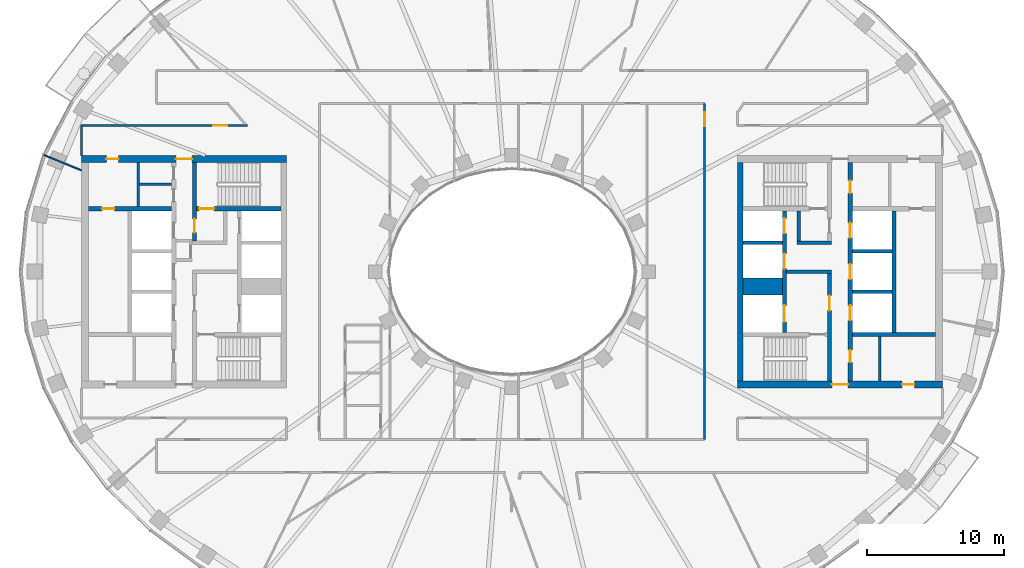
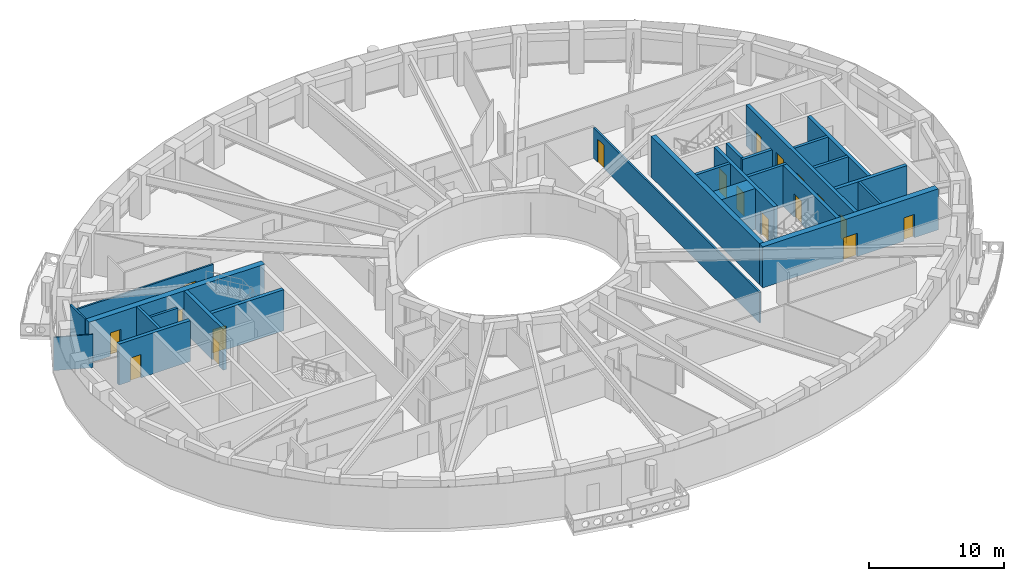
# One storey, part 5 of 16: 25 walls, 18 doors, 18 openings.
"""IFC4 building model written with IfcOpenShell, lengths in metres."""

from ifc_helpers import new_model, si_unit, direction, frame, frame_2d, origin, place, context, subcontext, project, spatial, rectangle, extrude, material, layer, layer_set, type_object, element, fill, save


model = new_model("IFC4")

# Units and contexts
model_context = context("Model", 3, precision=1e-05, world=origin(), true_north=direction((0.0, 1.0)))
body_context = subcontext(model_context, "Body", "Model", "MODEL_VIEW")
ifc_project = project(units=[si_unit("LENGTHUNIT", "METRE"), si_unit("AREAUNIT", "SQUARE_METRE"), si_unit("VOLUMEUNIT", "CUBIC_METRE"), si_unit("PLANEANGLEUNIT", "RADIAN"), si_unit("MASSUNIT", "GRAM", prefix="KILO")], contexts=[model_context])

# Site, building, storey
site_placement = place(None, origin())
site = spatial("IfcSite", under=ifc_project, at=site_placement, CompositionType="ELEMENT")
building_placement = place(site_placement, origin())
building = spatial("IfcBuilding", under=site, at=building_placement, Name="Noorbagh Ring Tower", CompositionType="ELEMENT")
storey_placement = place(building_placement, frame((0.0, 0.0, 249.5)))
storey = spatial("IfcBuildingStorey", under=building, at=storey_placement, Name="L52", CompositionType="ELEMENT", Elevation=249.5)

# Walls
ifc_material_1 = material(Name="Gypsum board on steel studs", Category="steel")
ifc_layer_1 = layer(ifc_material_1, 0.199951171875)
ifc_layer_set_1 = layer_set([ifc_layer_1], Name="Gypsum board on steel studs")
wall_type_1 = type_object("IfcWallType", Name="CORE-PARTITION-200", PredefinedType="PARTITIONING", material=ifc_layer_set_1)
wall_1_placement = place(storey_placement, frame((-27.35009765625, 4.75, 0.0), z_axis=(0.0, 0.0, 1.0), x_axis=(0.0, 1.0, 0.0)))
element("IfcWall", 1, at=wall_1_placement, inside=storey, type_object=wall_type_1, Name="Core partition W", PredefinedType="PARTITIONING", context=body_context, shape_type="SweptSolid", body=[
    extrude(rectangle(XDim=3.25, YDim=0.199951171875, at=frame_2d((1.625, 0.0))), origin(), (0.0, 0.0, 1.0), 3.699951171875),
])
wall_2_placement = place(storey_placement, frame((-24.89990234375, 6.39990234375, 0.0), z_axis=(0.0, 0.0, 1.0), x_axis=(-1.0, 0.0, 0.0)))
element("IfcWall", 2, at=wall_2_placement, inside=storey, type_object=wall_type_1, Name="Core partition W", PredefinedType="PARTITIONING", context=body_context, shape_type="SweptSolid", body=[
    extrude(rectangle(XDim=2.35009765625, YDim=0.199951171875, at=frame_2d((1.175048828125, 0.0))), origin(), (0.0, 0.0, 1.0), 3.699951171875),
])
wall_3_placement = place(storey_placement, frame((26.89990234375, -8.0, 0.0), z_axis=(0.0, 0.0, 1.0), x_axis=(0.0, 1.0, 0.0)))
element("IfcWall", 3, at=wall_3_placement, inside=storey, type_object=wall_type_1, Name="Core partition E", PredefinedType="PARTITIONING", context=body_context, shape_type="SweptSolid", body=[
    extrude(rectangle(XDim=3.25, YDim=0.199951171875, at=frame_2d((1.625, 0.0))), origin(), (0.0, 0.0, 1.0), 3.699951171875),
])
ifc_material_2 = material(Name="Concrete C60/75", Category="concrete")
ifc_layer_2 = layer(ifc_material_2, 1.25)
ifc_layer_set_2 = layer_set([ifc_layer_2], Name="Concrete C60/75")
wall_type_2 = type_object("IfcWallType", Name="CORE-WALL-1250-C60-75-EI120", PredefinedType="SHEAR", material=ifc_layer_set_2)
wall_4_placement = place(storey_placement, frame((16.89990234375, -1.074951171875, 0.0), z_axis=(0.0, 0.0, 1.0), x_axis=(1.0, 0.0, 0.0)))
element("IfcWall", 4, at=wall_4_placement, inside=storey, type_object=wall_type_2, Name="Core wall E", PredefinedType="SHEAR", context=body_context, shape_type="SweptSolid", body=[
    extrude(rectangle(XDim=2.900146484375, YDim=1.25, at=frame_2d((1.4501953125, 0.0))), origin(), (0.0, 0.0, 1.0), 3.699951171875),
])
ifc_material_3 = material(Name="Concrete C60/75", Category="concrete")
ifc_layer_3 = layer(ifc_material_3, 0.25)
ifc_layer_set_3 = layer_set([ifc_layer_3], Name="Concrete C60/75")
wall_type_3 = type_object("IfcWallType", Name="CORE-WALL-250-C60-75-EI120", PredefinedType="SHEAR", material=ifc_layer_set_3)
for number, where, z_axis, x_axis, name in (
    (5, (16.89990234375, 2.125, 0.0), (0.0, 0.0, 1.0), (1.0, 0.0, 0.0), "Core wall E"),
    (6, (24.89990234375, -1.47509765625, 0.0), (0.0, 0.0, 1.0), (1.0, 0.0, 0.0), "Core wall E"),
    (7, (24.89990234375, 1.47509765625, 0.0), (0.0, 0.0, 1.0), (1.0, 0.0, 0.0), "Core wall E"),
):
    element("IfcWall", number, at=place(storey_placement, frame(where, z_axis=z_axis, x_axis=x_axis)), inside=storey, type_object=wall_type_3, Name=name, PredefinedType="SHEAR", context=body_context, shape_type="SweptSolid", body=[
        extrude(rectangle(XDim=2.900146484375, YDim=0.25, at=frame_2d((1.4501953125, 0.0))), origin(), (0.0, 0.0, 1.0), 3.699951171875),
    ])
ifc_material_4 = material(Name="Concrete C60/75", Category="concrete")
ifc_layer_4 = layer(ifc_material_4, 0.25)
ifc_layer_set_4 = layer_set([ifc_layer_4], Name="Concrete C60/75")
wall_type_4 = type_object("IfcWallType", Name="CORE-WALL-250-C60-75-EI240", PredefinedType="SHEAR", material=ifc_layer_set_4)
wall_5_placement = place(storey_placement, frame((20.10009765625, 0.0, 0.0), z_axis=(0.0, 0.0, 1.0), x_axis=(1.0, 0.0, 0.0)))
element("IfcWall", 8, at=wall_5_placement, inside=storey, type_object=wall_type_4, Name="Core wall E", PredefinedType="SHEAR", context=body_context, shape_type="SweptSolid", body=[
    extrude(rectangle(XDim=3.27978515625, YDim=0.25, at=frame_2d((1.639892578125, 0.0))), origin(), (0.0, 0.0, 1.0), 3.699951171875),
])
wall_6_placement = place(storey_placement, frame((20.85009765625, 2.125, 0.0), z_axis=(0.0, 0.0, 1.0), x_axis=(1.0, 0.0, 0.0)))
element("IfcWall", 9, at=wall_6_placement, inside=storey, type_object=wall_type_4, Name="Core wall E", PredefinedType="SHEAR", context=body_context, shape_type="SweptSolid", body=[
    extrude(rectangle(XDim=2.52978515625, YDim=0.25, at=frame_2d((1.264892578125, 0.0))), origin(), (0.0, 0.0, 1.0), 3.699951171875),
])
wall_7_placement = place(storey_placement, frame((20.97509765625, 2.25, 0.0), z_axis=(0.0, 0.0, 1.0), x_axis=(0.0, 1.0, 0.0)))
element("IfcWall", 10, at=wall_7_placement, inside=storey, type_object=wall_type_4, Name="Core wall E", PredefinedType="SHEAR", context=body_context, shape_type="SweptSolid", body=[
    extrude(rectangle(XDim=2.199951171875, YDim=0.25, at=frame_2d((1.10009765625, 0.0))), origin(), (0.0, 0.0, 1.0), 3.699951171875),
])
ifc_material_5 = material(Name="Concrete C60/75", Category="concrete")
ifc_layer_5 = layer(ifc_material_5, 0.300048828125)
ifc_layer_set_5 = layer_set([ifc_layer_5], Name="Concrete C60/75")
wall_type_5 = type_object("IfcWallType", Name="CORE-WALL-300-C60-75-EI120", PredefinedType="SHEAR", material=ifc_layer_set_5)
wall_8_placement = place(storey_placement, frame((27.949951171875, -4.449951171875, 0.0), z_axis=(0.0, 0.0, 1.0), x_axis=(0.0, 1.0, 0.0)))
element("IfcWall", 11, at=wall_8_placement, inside=storey, type_object=wall_type_5, Name="Core wall E", PredefinedType="SHEAR", context=body_context, shape_type="SweptSolid", body=[
    extrude(rectangle(XDim=8.89990234375, YDim=0.300048828125, at=frame_2d((4.449951171875, 0.0))), origin(), (0.0, 0.0, 1.0), 3.699951171875),
])

# Wall, openings, doors
wall_9_placement = place(storey_placement, frame((19.949951171875, -4.449951171875, 0.0), z_axis=(0.0, 0.0, 1.0), x_axis=(0.0, 1.0, 0.0)))
wall_9 = element("IfcWall", 12, at=wall_9_placement, inside=storey, type_object=wall_type_5, Name="Core wall E", PredefinedType="SHEAR", context=body_context, shape_type="SweptSolid", body=[
    extrude(rectangle(XDim=8.89990234375, YDim=0.300048828125, at=frame_2d((4.449951171875, 0.0))), origin(), (0.0, 0.0, 1.0), 3.699951171875),
])
opening_1_placement = place(wall_9_placement, frame((0.77490234375, 0.0, 0.0)))
opening_1 = element("IfcOpeningElement", 13, at=opening_1_placement, cuts=wall_9, Name="Opening L52-CE01", PredefinedType="OPENING", context=body_context, shape_type="SweptSolid", body=[
    extrude(rectangle(XDim=1.199951171875, YDim=2.10009765625, at=frame_2d((0.60009765625, 1.050048828125))), frame((0.0, 0.16015625, 0.0), z_axis=(0.0, -1.0, 0.0), x_axis=(1.0, 0.0, 0.0)), (0.0, 0.0, 1.0), 0.320068359375),
])
opening_2_placement = place(wall_9_placement, frame((4.675048828125, 0.0, 0.0)))
opening_2 = element("IfcOpeningElement", 14, at=opening_2_placement, cuts=wall_9, Name="Opening L52-CE02", PredefinedType="OPENING", context=body_context, shape_type="SweptSolid", body=[
    extrude(rectangle(XDim=1.10009765625, YDim=2.10009765625, at=frame_2d((0.550048828125, 1.050048828125))), frame((0.0, 0.16015625, 0.0), z_axis=(0.0, -1.0, 0.0), x_axis=(1.0, 0.0, 0.0)), (0.0, 0.0, 1.0), 0.320068359375),
])
opening_3_placement = place(wall_9_placement, frame((7.25, 0.0, 0.0)))
opening_3 = element("IfcOpeningElement", 15, at=opening_3_placement, cuts=wall_9, Name="Opening L52-CE03", PredefinedType="OPENING", context=body_context, shape_type="SweptSolid", body=[
    extrude(rectangle(XDim=1.10009765625, YDim=2.10009765625, at=frame_2d((0.550048828125, 1.050048828125))), frame((0.0, 0.16015625, 0.0), z_axis=(0.0, -1.0, 0.0), x_axis=(1.0, 0.0, 0.0)), (0.0, 0.0, 1.0), 0.320068359375),
])
ifc_material_6 = material(Name="Steel door leaf", Category="steel")
door_type_1 = type_object("IfcDoorType", Name="CORE-DOOR-LD", OperationType="DOUBLE_DOOR_SLIDING", PredefinedType="DOOR", material=ifc_material_6)
door_1_placement = place(opening_2_placement, origin())
door_1 = element("IfcDoor", 16, at=door_1_placement, inside=storey, type_object=door_type_1, Name="Landing door HR7 L52-CE02", OperationType="DOUBLE_DOOR_SLIDING", OverallHeight=2.10009765625, OverallWidth=1.10009765625, PredefinedType="DOOR", context=body_context, shape_type="SweptSolid", body=[
    extrude(rectangle(XDim=1.10009765625, YDim=2.10009765625, at=frame_2d((0.550048828125, 1.050048828125))), frame((0.0, 0.02490234375, 0.0), z_axis=(0.0, -1.0, 0.0), x_axis=(1.0, 0.0, 0.0)), (0.0, 0.0, 1.0), 0.050048828125),
])
fill(opening_2, door_1)
door_2_placement = place(opening_3_placement, origin())
door_2 = element("IfcDoor", 17, at=door_2_placement, inside=storey, type_object=door_type_1, Name="Landing door HR8 L52-CE03", OperationType="DOUBLE_DOOR_SLIDING", OverallHeight=2.10009765625, OverallWidth=1.10009765625, PredefinedType="DOOR", context=body_context, shape_type="SweptSolid", body=[
    extrude(rectangle(XDim=1.10009765625, YDim=2.10009765625, at=frame_2d((0.550048828125, 1.050048828125))), frame((0.0, 0.02490234375, 0.0), z_axis=(0.0, -1.0, 0.0), x_axis=(1.0, 0.0, 0.0)), (0.0, 0.0, 1.0), 0.050048828125),
])
fill(opening_3, door_2)
ifc_material_7 = material(Name="Steel door leaf", Category="steel")
door_type_2 = type_object("IfcDoorType", Name="CORE-DOOR-LDW", OperationType="DOUBLE_DOOR_SLIDING", PredefinedType="DOOR", material=ifc_material_7)
door_3_placement = place(opening_1_placement, origin())
door_3 = element("IfcDoor", 18, at=door_3_placement, inside=storey, type_object=door_type_2, Name="Landing door FF2 L52-CE01", OperationType="DOUBLE_DOOR_SLIDING", OverallHeight=2.10009765625, OverallWidth=1.199951171875, PredefinedType="DOOR", context=body_context, shape_type="SweptSolid", body=[
    extrude(rectangle(XDim=1.199951171875, YDim=2.10009765625, at=frame_2d((0.60009765625, 1.050048828125))), frame((0.0, 0.02490234375, 0.0), z_axis=(0.0, -1.0, 0.0), x_axis=(1.0, 0.0, 0.0)), (0.0, 0.0, 1.0), 0.050048828125),
])
fill(opening_1, door_3)

wall_10_placement = place(storey_placement, frame((24.75, -8.0, 0.0), z_axis=(0.0, 0.0, 1.0), x_axis=(0.0, 1.0, 0.0)))
wall_10 = element("IfcWall", 19, at=wall_10_placement, inside=storey, type_object=wall_type_5, Name="Core wall E", PredefinedType="SHEAR", context=body_context, shape_type="SweptSolid", body=[
    extrude(rectangle(XDim=16.0, YDim=0.300048828125, at=frame_2d((8.0, 0.0))), origin(), (0.0, 0.0, 1.0), 3.699951171875),
])
opening_4_placement = place(wall_10_placement, frame((4.425048828125, 0.0, 0.0)))
opening_4 = element("IfcOpeningElement", 20, at=opening_4_placement, cuts=wall_10, Name="Opening L52-CE04", PredefinedType="OPENING", context=body_context, shape_type="SweptSolid", body=[
    extrude(rectangle(XDim=1.10009765625, YDim=2.10009765625, at=frame_2d((0.550048828125, 1.050048828125))), frame((0.0, 0.16015625, 0.0), z_axis=(0.0, -1.0, 0.0), x_axis=(1.0, 0.0, 0.0)), (0.0, 0.0, 1.0), 0.320068359375),
])
opening_5_placement = place(wall_10_placement, frame((7.449951171875, 0.0, 0.0)))
opening_5 = element("IfcOpeningElement", 21, at=opening_5_placement, cuts=wall_10, Name="Opening L52-CE05", PredefinedType="OPENING", context=body_context, shape_type="SweptSolid", body=[
    extrude(rectangle(XDim=1.10009765625, YDim=2.10009765625, at=frame_2d((0.550048828125, 1.050048828125))), frame((0.0, 0.16015625, 0.0), z_axis=(0.0, -1.0, 0.0), x_axis=(1.0, 0.0, 0.0)), (0.0, 0.0, 1.0), 0.320068359375),
])
opening_6_placement = place(wall_10_placement, frame((10.47509765625, 0.0, 0.0)))
opening_6 = element("IfcOpeningElement", 22, at=opening_6_placement, cuts=wall_10, Name="Opening L52-CE06", PredefinedType="OPENING", context=body_context, shape_type="SweptSolid", body=[
    extrude(rectangle(XDim=1.10009765625, YDim=2.10009765625, at=frame_2d((0.550048828125, 1.050048828125))), frame((0.0, 0.16015625, 0.0), z_axis=(0.0, -1.0, 0.0), x_axis=(1.0, 0.0, 0.0)), (0.0, 0.0, 1.0), 0.320068359375),
])
opening_7_placement = place(wall_10_placement, frame((13.75, 0.0, 0.0)))
opening_7 = element("IfcOpeningElement", 23, at=opening_7_placement, cuts=wall_10, Name="Opening L52-CE13", PredefinedType="OPENING", context=body_context, shape_type="SweptSolid", body=[
    extrude(rectangle(XDim=0.89990234375, YDim=2.10009765625, at=frame_2d((0.449951171875, 1.050048828125))), frame((0.0, 0.16015625, 0.0), z_axis=(0.0, -1.0, 0.0), x_axis=(1.0, 0.0, 0.0)), (0.0, 0.0, 1.0), 0.320068359375),
])
opening_8_placement = place(wall_10_placement, frame((1.35009765625, 0.0, 0.0)))
opening_8 = element("IfcOpeningElement", 24, at=opening_8_placement, cuts=wall_10, Name="Opening L52-CE15", PredefinedType="OPENING", context=body_context, shape_type="SweptSolid", body=[
    extrude(rectangle(XDim=0.89990234375, YDim=2.10009765625, at=frame_2d((0.449951171875, 1.050048828125))), frame((0.0, 0.16015625, 0.0), z_axis=(0.0, -1.0, 0.0), x_axis=(1.0, 0.0, 0.0)), (0.0, 0.0, 1.0), 0.320068359375),
])
ifc_material_8 = material(Name="Steel door leaf", Category="steel")
door_type_3 = type_object("IfcDoorType", Name="CORE-DOOR-DROOM", OperationType="SINGLE_SWING_LEFT", PredefinedType="DOOR", material=ifc_material_8)
door_4_placement = place(opening_7_placement, origin())
door_4 = element("IfcDoor", 25, at=door_4_placement, inside=storey, type_object=door_type_3, Name="Core room door L52-CE13", OperationType="SINGLE_SWING_LEFT", OverallHeight=2.10009765625, OverallWidth=0.89990234375, PredefinedType="DOOR", context=body_context, shape_type="SweptSolid", body=[
    extrude(rectangle(XDim=0.89990234375, YDim=2.10009765625, at=frame_2d((0.449951171875, 1.050048828125))), frame((0.0, 0.02490234375, 0.0), z_axis=(0.0, -1.0, 0.0), x_axis=(1.0, 0.0, 0.0)), (0.0, 0.0, 1.0), 0.050048828125),
])
fill(opening_7, door_4)
door_5_placement = place(opening_8_placement, origin())
door_5 = element("IfcDoor", 26, at=door_5_placement, inside=storey, type_object=door_type_3, Name="Core room door L52-CE15", OperationType="SINGLE_SWING_RIGHT", OverallHeight=2.10009765625, OverallWidth=0.89990234375, PredefinedType="DOOR", context=body_context, shape_type="SweptSolid", body=[
    extrude(rectangle(XDim=0.89990234375, YDim=2.10009765625, at=frame_2d((0.449951171875, 1.050048828125))), frame((0.0, 0.02490234375, 0.0), z_axis=(0.0, -1.0, 0.0), x_axis=(1.0, 0.0, 0.0)), (0.0, 0.0, 1.0), 0.050048828125),
])
fill(opening_8, door_5)
door_6_placement = place(opening_4_placement, origin())
door_6 = element("IfcDoor", 27, at=door_6_placement, inside=storey, type_object=door_type_1, Name="Landing door HR9 L52-CE04", OperationType="DOUBLE_DOOR_SLIDING", OverallHeight=2.10009765625, OverallWidth=1.10009765625, PredefinedType="DOOR", context=body_context, shape_type="SweptSolid", body=[
    extrude(rectangle(XDim=1.10009765625, YDim=2.10009765625, at=frame_2d((0.550048828125, 1.050048828125))), frame((0.0, 0.02490234375, 0.0), z_axis=(0.0, -1.0, 0.0), x_axis=(1.0, 0.0, 0.0)), (0.0, 0.0, 1.0), 0.050048828125),
])
fill(opening_4, door_6)
door_7_placement = place(opening_5_placement, origin())
door_7 = element("IfcDoor", 28, at=door_7_placement, inside=storey, type_object=door_type_1, Name="Landing door HR10 L52-CE05", OperationType="DOUBLE_DOOR_SLIDING", OverallHeight=2.10009765625, OverallWidth=1.10009765625, PredefinedType="DOOR", context=body_context, shape_type="SweptSolid", body=[
    extrude(rectangle(XDim=1.10009765625, YDim=2.10009765625, at=frame_2d((0.550048828125, 1.050048828125))), frame((0.0, 0.02490234375, 0.0), z_axis=(0.0, -1.0, 0.0), x_axis=(1.0, 0.0, 0.0)), (0.0, 0.0, 1.0), 0.050048828125),
])
fill(opening_5, door_7)
door_8_placement = place(opening_6_placement, origin())
door_8 = element("IfcDoor", 29, at=door_8_placement, inside=storey, type_object=door_type_1, Name="Landing door HR11 L52-CE06", OperationType="DOUBLE_DOOR_SLIDING", OverallHeight=2.10009765625, OverallWidth=1.10009765625, PredefinedType="DOOR", context=body_context, shape_type="SweptSolid", body=[
    extrude(rectangle(XDim=1.10009765625, YDim=2.10009765625, at=frame_2d((0.550048828125, 1.050048828125))), frame((0.0, 0.02490234375, 0.0), z_axis=(0.0, -1.0, 0.0), x_axis=(1.0, 0.0, 0.0)), (0.0, 0.0, 1.0), 0.050048828125),
])
fill(opening_6, door_8)

# Wall, opening, door
ifc_material_9 = material(Name="Concrete C60/75", Category="concrete")
ifc_layer_6 = layer(ifc_material_9, 0.300048828125)
ifc_layer_set_6 = layer_set([ifc_layer_6], Name="Concrete C60/75")
wall_type_6 = type_object("IfcWallType", Name="CORE-WALL-300-C60-75-EI240", PredefinedType="SHEAR", material=ifc_layer_set_6)
wall_11_placement = place(storey_placement, frame((-24.89990234375, 4.60009765625, 0.0), z_axis=(0.0, 0.0, 1.0), x_axis=(-1.0, 0.0, 0.0)))
wall_11 = element("IfcWall", 30, at=wall_11_placement, inside=storey, type_object=wall_type_6, Name="Core wall W", PredefinedType="SHEAR", context=body_context, shape_type="SweptSolid", body=[
    extrude(rectangle(XDim=6.10009765625, YDim=0.300048828125, at=frame_2d((3.050048828125, 0.0))), origin(), (0.0, 0.0, 1.0), 3.699951171875),
])
opening_9_placement = place(wall_11_placement, frame((4.199951171875, 0.0, 0.0)))
opening_9 = element("IfcOpeningElement", 31, at=opening_9_placement, cuts=wall_11, Name="Opening L52-CW18", PredefinedType="OPENING", context=body_context, shape_type="SweptSolid", body=[
    extrude(rectangle(XDim=0.89990234375, YDim=2.10009765625, at=frame_2d((0.449951171875, 1.050048828125))), frame((0.0, 0.16015625, 0.0), z_axis=(0.0, -1.0, 0.0), x_axis=(1.0, 0.0, 0.0)), (0.0, 0.0, 1.0), 0.320068359375),
])
door_9_placement = place(opening_9_placement, origin())
door_9 = element("IfcDoor", 32, at=door_9_placement, inside=storey, type_object=door_type_3, Name="Core room door L52-CW18", OperationType="SINGLE_SWING_LEFT", OverallHeight=2.10009765625, OverallWidth=0.89990234375, PredefinedType="DOOR", context=body_context, shape_type="SweptSolid", body=[
    extrude(rectangle(XDim=0.89990234375, YDim=2.10009765625, at=frame_2d((0.449951171875, 1.050048828125))), frame((0.0, 0.02490234375, 0.0), z_axis=(0.0, -1.0, 0.0), x_axis=(1.0, 0.0, 0.0)), (0.0, 0.0, 1.0), 0.050048828125),
])
fill(opening_9, door_9)

wall_12_placement = place(storey_placement, frame((-23.22998046875, 2.25, 0.0), z_axis=(0.0, 0.0, 1.0), x_axis=(0.0, 1.0, 0.0)))
wall_12 = element("IfcWall", 33, at=wall_12_placement, inside=storey, type_object=wall_type_6, Name="Core wall W", PredefinedType="SHEAR", context=body_context, shape_type="SweptSolid", body=[
    extrude(rectangle(XDim=5.75, YDim=0.300048828125, at=frame_2d((2.875, 0.0))), origin(), (0.0, 0.0, 1.0), 3.699951171875),
])
opening_10_placement = place(wall_12_placement, frame((0.60009765625, 0.0, 0.0)))
opening_10 = element("IfcOpeningElement", 34, at=opening_10_placement, cuts=wall_12, Name="Opening L52-CW09", PredefinedType="OPENING", context=body_context, shape_type="SweptSolid", body=[
    extrude(rectangle(XDim=1.0, YDim=2.10009765625, at=frame_2d((0.5, 1.050048828125))), frame((0.0, 0.16015625, 0.0), z_axis=(0.0, -1.0, 0.0), x_axis=(1.0, 0.0, 0.0)), (0.0, 0.0, 1.0), 0.320068359375),
])
ifc_material_10 = material(Name="Steel door leaf", Category="steel")
door_type_4 = type_object("IfcDoorType", Name="CORE-DOOR-DVEST", OperationType="SINGLE_SWING_LEFT", PredefinedType="DOOR", material=ifc_material_10)
door_10_placement = place(opening_10_placement, origin())
door_10 = element("IfcDoor", 35, at=door_10_placement, inside=storey, type_object=door_type_4, Name="Stair vestibule door L52-CW09", OperationType="SINGLE_SWING_LEFT", OverallHeight=2.10009765625, OverallWidth=1.0, PredefinedType="DOOR", context=body_context, shape_type="SweptSolid", body=[
    extrude(rectangle(XDim=1.0, YDim=2.10009765625, at=frame_2d((0.5, 1.050048828125))), frame((0.0, 0.02490234375, 0.0), z_axis=(0.0, -1.0, 0.0), x_axis=(1.0, 0.0, 0.0)), (0.0, 0.0, 1.0), 0.050048828125),
])
fill(opening_10, door_10)

wall_13_placement = place(storey_placement, frame((-16.89990234375, 4.60009765625, 0.0), z_axis=(0.0, 0.0, 1.0), x_axis=(-1.0, 0.0, 0.0)))
wall_13 = element("IfcWall", 36, at=wall_13_placement, inside=storey, type_object=wall_type_6, Name="Core wall W", PredefinedType="SHEAR", context=body_context, shape_type="SweptSolid", body=[
    extrude(rectangle(XDim=6.18017578125, YDim=0.300048828125, at=frame_2d((3.090087890625, 0.0))), origin(), (0.0, 0.0, 1.0), 3.699951171875),
])
opening_11_placement = place(wall_13_placement, frame((4.89990234375, 0.0, 0.0)))
opening_11 = element("IfcOpeningElement", 37, at=opening_11_placement, cuts=wall_13, Name="Opening L52-CW06", PredefinedType="OPENING", context=body_context, shape_type="SweptSolid", body=[
    extrude(rectangle(XDim=1.10009765625, YDim=2.10009765625, at=frame_2d((0.550048828125, 1.050048828125))), frame((0.0, 0.16015625, 0.0), z_axis=(0.0, -1.0, 0.0), x_axis=(1.0, 0.0, 0.0)), (0.0, 0.0, 1.0), 0.320068359375),
])
ifc_material_11 = material(Name="Steel door leaf", Category="steel")
door_type_5 = type_object("IfcDoorType", Name="CORE-DOOR-DSTAIR", OperationType="SINGLE_SWING_LEFT", PredefinedType="DOOR", material=ifc_material_11)
door_11_placement = place(opening_11_placement, origin())
door_11 = element("IfcDoor", 38, at=door_11_placement, inside=storey, type_object=door_type_5, Name="Stair door ST1 L52-CW06", OperationType="SINGLE_SWING_RIGHT", OverallHeight=2.10009765625, OverallWidth=1.10009765625, PredefinedType="DOOR", context=body_context, shape_type="SweptSolid", body=[
    extrude(rectangle(XDim=1.10009765625, YDim=2.10009765625, at=frame_2d((0.550048828125, 1.050048828125))), frame((0.0, 0.02490234375, 0.0), z_axis=(0.0, -1.0, 0.0), x_axis=(1.0, 0.0, 0.0)), (0.0, 0.0, 1.0), 0.050048828125),
])
fill(opening_11, door_11)

# Wall
wall_14_placement = place(storey_placement, frame((24.89990234375, -4.60009765625, 0.0), z_axis=(0.0, 0.0, 1.0), x_axis=(1.0, 0.0, 0.0)))
element("IfcWall", 39, at=wall_14_placement, inside=storey, type_object=wall_type_6, Name="Core wall E", PredefinedType="SHEAR", context=body_context, shape_type="SweptSolid", body=[
    extrude(rectangle(XDim=6.10009765625, YDim=0.300048828125, at=frame_2d((3.050048828125, 0.0))), origin(), (0.0, 0.0, 1.0), 3.699951171875),
])

# Wall, opening, door
wall_15_placement = place(storey_placement, frame((23.22998046875, -8.0, 0.0), z_axis=(0.0, 0.0, 1.0), x_axis=(0.0, 1.0, 0.0)))
wall_15 = element("IfcWall", 40, at=wall_15_placement, inside=storey, type_object=wall_type_6, Name="Core wall E", PredefinedType="SHEAR", context=body_context, shape_type="SweptSolid", body=[
    extrude(rectangle(XDim=7.875, YDim=0.300048828125, at=frame_2d((3.9375, 0.0))), origin(), (0.0, 0.0, 1.0), 3.699951171875),
])
opening_12_placement = place(wall_15_placement, frame((5.14990234375, 0.0, 0.0)))
opening_12 = element("IfcOpeningElement", 41, at=opening_12_placement, cuts=wall_15, Name="Opening L52-CE09", PredefinedType="OPENING", context=body_context, shape_type="SweptSolid", body=[
    extrude(rectangle(XDim=1.10009765625, YDim=2.10009765625, at=frame_2d((0.550048828125, 1.050048828125))), frame((0.0, 0.16015625, 0.0), z_axis=(0.0, -1.0, 0.0), x_axis=(1.0, 0.0, 0.0)), (0.0, 0.0, 1.0), 0.320068359375),
])
ifc_material_12 = material(Name="Steel door leaf", Category="steel")
door_type_6 = type_object("IfcDoorType", Name="CORE-DOOR-DFF", OperationType="SINGLE_SWING_LEFT", PredefinedType="DOOR", material=ifc_material_12)
door_12_placement = place(opening_12_placement, origin())
door_12 = element("IfcDoor", 42, at=door_12_placement, inside=storey, type_object=door_type_6, Name="Firefighting lobby door L52-CE09", OperationType="SINGLE_SWING_RIGHT", OverallHeight=2.10009765625, OverallWidth=1.10009765625, PredefinedType="DOOR", context=body_context, shape_type="SweptSolid", body=[
    extrude(rectangle(XDim=1.10009765625, YDim=2.10009765625, at=frame_2d((0.550048828125, 1.050048828125))), frame((0.0, 0.02490234375, 0.0), z_axis=(0.0, -1.0, 0.0), x_axis=(1.0, 0.0, 0.0)), (0.0, 0.0, 1.0), 0.050048828125),
])
fill(opening_12, door_12)

# Wall
ifc_material_13 = material(Name="Concrete C60/75", Category="concrete")
ifc_layer_7 = layer(ifc_material_13, 0.39990234375)
ifc_layer_set_7 = layer_set([ifc_layer_7], Name="Concrete C60/75")
wall_type_7 = type_object("IfcWallType", Name="CORE-WALL-400-C60-75-EI240", PredefinedType="SHEAR", material=ifc_layer_set_7)
wall_16_placement = place(storey_placement, frame((16.699951171875, -8.0, 0.0), z_axis=(0.0, 0.0, 1.0), x_axis=(0.0, 1.0, 0.0)))
element("IfcWall", 43, at=wall_16_placement, inside=storey, type_object=wall_type_7, Name="Core wall E", PredefinedType="SHEAR", context=body_context, shape_type="SweptSolid", body=[
    extrude(rectangle(XDim=16.0, YDim=0.39990234375, at=frame_2d((8.0, 0.0))), origin(), (0.0, 0.0, 1.0), 3.699951171875),
])

# Wall, openings, doors
ifc_material_14 = material(Name="Concrete C60/75", Category="concrete")
ifc_layer_8 = layer(ifc_material_14, 0.5)
ifc_layer_set_8 = layer_set([ifc_layer_8], Name="Concrete C60/75")
wall_type_8 = type_object("IfcWallType", Name="CORE-WALL-500-C60-75-EI240", PredefinedType="SHEAR", material=ifc_layer_set_8)
wall_17_placement = place(storey_placement, frame((-16.5, 8.25, 0.0), z_axis=(0.0, 0.0, 1.0), x_axis=(-1.0, 0.0, 0.0)))
wall_17 = element("IfcWall", 44, at=wall_17_placement, inside=storey, type_object=wall_type_8, Name="Core wall W", PredefinedType="SHEAR", context=body_context, shape_type="SweptSolid", body=[
    extrude(rectangle(XDim=15.0, YDim=0.5, at=frame_2d((7.5, 0.0))), origin(), (0.0, 0.0, 1.0), 3.699951171875),
])
opening_13_placement = place(wall_17_placement, frame((6.89990234375, 0.0, 0.0)))
opening_13 = element("IfcOpeningElement", 45, at=opening_13_placement, cuts=wall_17, Name="Opening L52-CW10", PredefinedType="OPENING", context=body_context, shape_type="SweptSolid", body=[
    extrude(rectangle(XDim=1.199951171875, YDim=2.10009765625, at=frame_2d((0.60009765625, 1.050048828125))), frame((0.0, 0.260009765625, 0.0), z_axis=(0.0, -1.0, 0.0), x_axis=(1.0, 0.0, 0.0)), (0.0, 0.0, 1.0), 0.52001953125),
])
opening_14_placement = place(wall_17_placement, frame((12.27490234375, 0.0, 0.0)))
opening_14 = element("IfcOpeningElement", 46, at=opening_14_placement, cuts=wall_17, Name="Opening L52-CW14", PredefinedType="OPENING", context=body_context, shape_type="SweptSolid", body=[
    extrude(rectangle(XDim=0.89990234375, YDim=2.10009765625, at=frame_2d((0.449951171875, 1.050048828125))), frame((0.0, 0.260009765625, 0.0), z_axis=(0.0, -1.0, 0.0), x_axis=(1.0, 0.0, 0.0)), (0.0, 0.0, 1.0), 0.52001953125),
])
door_13_placement = place(opening_14_placement, origin())
door_13 = element("IfcDoor", 47, at=door_13_placement, inside=storey, type_object=door_type_3, Name="Core room door L52-CW14", OperationType="SINGLE_SWING_RIGHT", OverallHeight=2.10009765625, OverallWidth=0.89990234375, PredefinedType="DOOR", context=body_context, shape_type="SweptSolid", body=[
    extrude(rectangle(XDim=0.89990234375, YDim=2.10009765625, at=frame_2d((0.449951171875, 1.050048828125))), frame((0.0, 0.02490234375, 0.0), z_axis=(0.0, -1.0, 0.0), x_axis=(1.0, 0.0, 0.0)), (0.0, 0.0, 1.0), 0.050048828125),
])
fill(opening_14, door_13)
ifc_material_15 = material(Name="Steel door leaf", Category="steel")
door_type_7 = type_object("IfcDoorType", Name="CORE-DOOR-PORT", OperationType="DOUBLE_DOOR_DOUBLE_SWING", PredefinedType="DOOR", material=ifc_material_15)
door_14_placement = place(opening_13_placement, origin())
door_14 = element("IfcDoor", 48, at=door_14_placement, inside=storey, type_object=door_type_7, Name="Core entrance door L52-CW10", OperationType="DOUBLE_DOOR_DOUBLE_SWING", OverallHeight=2.10009765625, OverallWidth=1.199951171875, PredefinedType="DOOR", context=body_context, shape_type="SweptSolid", body=[
    extrude(rectangle(XDim=1.199951171875, YDim=2.10009765625, at=frame_2d((0.60009765625, 1.050048828125))), frame((0.0, 0.02490234375, 0.0), z_axis=(0.0, -1.0, 0.0), x_axis=(1.0, 0.0, 0.0)), (0.0, 0.0, 1.0), 0.050048828125),
])
fill(opening_13, door_14)

wall_18_placement = place(storey_placement, frame((16.5, -8.25, 0.0), z_axis=(0.0, 0.0, 1.0), x_axis=(1.0, 0.0, 0.0)))
wall_18 = element("IfcWall", 49, at=wall_18_placement, inside=storey, type_object=wall_type_8, Name="Core wall E", PredefinedType="SHEAR", context=body_context, shape_type="SweptSolid", body=[
    extrude(rectangle(XDim=15.0, YDim=0.5, at=frame_2d((7.5, 0.0))), origin(), (0.0, 0.0, 1.0), 3.699951171875),
])
opening_15_placement = place(wall_18_placement, frame((6.89990234375, 0.0, 0.0)))
opening_15 = element("IfcOpeningElement", 50, at=opening_15_placement, cuts=wall_18, Name="Opening L52-CE12", PredefinedType="OPENING", context=body_context, shape_type="SweptSolid", body=[
    extrude(rectangle(XDim=1.199951171875, YDim=2.10009765625, at=frame_2d((0.60009765625, 1.050048828125))), frame((0.0, 0.260009765625, 0.0), z_axis=(0.0, -1.0, 0.0), x_axis=(1.0, 0.0, 0.0)), (0.0, 0.0, 1.0), 0.52001953125),
])
opening_16_placement = place(wall_18_placement, frame((12.050048828125, 0.0, 0.0)))
opening_16 = element("IfcOpeningElement", 51, at=opening_16_placement, cuts=wall_18, Name="Opening L52-CE16", PredefinedType="OPENING", context=body_context, shape_type="SweptSolid", body=[
    extrude(rectangle(XDim=0.89990234375, YDim=2.10009765625, at=frame_2d((0.449951171875, 1.050048828125))), frame((0.0, 0.260009765625, 0.0), z_axis=(0.0, -1.0, 0.0), x_axis=(1.0, 0.0, 0.0)), (0.0, 0.0, 1.0), 0.52001953125),
])
door_15_placement = place(opening_16_placement, origin())
door_15 = element("IfcDoor", 52, at=door_15_placement, inside=storey, type_object=door_type_3, Name="Core room door L52-CE16", OperationType="SINGLE_SWING_RIGHT", OverallHeight=2.10009765625, OverallWidth=0.89990234375, PredefinedType="DOOR", context=body_context, shape_type="SweptSolid", body=[
    extrude(rectangle(XDim=0.89990234375, YDim=2.10009765625, at=frame_2d((0.449951171875, 1.050048828125))), frame((0.0, 0.02490234375, 0.0), z_axis=(0.0, -1.0, 0.0), x_axis=(1.0, 0.0, 0.0)), (0.0, 0.0, 1.0), 0.050048828125),
])
fill(opening_16, door_15)
door_16_placement = place(opening_15_placement, origin())
door_16 = element("IfcDoor", 53, at=door_16_placement, inside=storey, type_object=door_type_7, Name="Core entrance door L52-CE12", OperationType="DOUBLE_DOOR_DOUBLE_SWING", OverallHeight=2.10009765625, OverallWidth=1.199951171875, PredefinedType="DOOR", context=body_context, shape_type="SweptSolid", body=[
    extrude(rectangle(XDim=1.199951171875, YDim=2.10009765625, at=frame_2d((0.60009765625, 1.050048828125))), frame((0.0, 0.02490234375, 0.0), z_axis=(0.0, -1.0, 0.0), x_axis=(1.0, 0.0, 0.0)), (0.0, 0.0, 1.0), 0.050048828125),
])
fill(opening_15, door_16)

# Wall
ifc_material_16 = material(Name="Gypsum board on steel studs", Category="steel")
ifc_layer_9 = layer(ifc_material_16, 0.14990234375)
ifc_layer_set_9 = layer_set([ifc_layer_9], Name="Gypsum board on steel studs")
wall_type_9 = type_object("IfcWallType", Name="CORRIDOR PARTITION 150 EI 30", PredefinedType="PARTITIONING", material=ifc_layer_set_9)
wall_19_placement = place(storey_placement, frame((-31.5, 8.5, 0.0), z_axis=(0.0, 0.0, 1.0), x_axis=(0.0, 1.0, 0.0)))
element("IfcWall", 54, at=wall_19_placement, inside=storey, type_object=wall_type_9, Name="L52/wall/P04", PredefinedType="PARTITIONING", context=body_context, shape_type="SweptSolid", body=[
    extrude(rectangle(XDim=2.199951171875, YDim=0.14990234375, at=frame_2d((1.10009765625, 0.0))), origin(), (0.0, 0.0, 1.0), 3.699951171875),
])

# Wall, opening, door
wall_20_placement = place(storey_placement, frame((-31.5, 10.699951171875, 0.0), z_axis=(0.0, 0.0, 1.0), x_axis=(1.0, 0.0, 0.0)))
wall_20 = element("IfcWall", 55, at=wall_20_placement, inside=storey, type_object=wall_type_9, Name="L52/wall/P05", PredefinedType="PARTITIONING", context=body_context, shape_type="SweptSolid", body=[
    extrude(rectangle(XDim=12.14697265625, YDim=0.14990234375, at=frame_2d((6.073486328125, 0.0))), origin(), (0.0, 0.0, 1.0), 3.10009765625),
])
opening_17_placement = place(wall_20_placement, frame((9.64892578125, 0.0, 0.0)))
opening_17 = element("IfcOpeningElement", 56, at=opening_17_placement, cuts=wall_20, Name="Opening D1", PredefinedType="OPENING", context=body_context, shape_type="SweptSolid", body=[
    extrude(rectangle(XDim=1.0, YDim=2.10009765625, at=frame_2d((0.5, 1.050048828125))), frame((0.0, 0.0849609375, 0.0), z_axis=(0.0, -1.0, 0.0), x_axis=(1.0, 0.0, 0.0)), (0.0, 0.0, 1.0), 0.169921875),
])
ifc_material_17 = material(Name="Timber, painted", Category="wood")
door_type_8 = type_object("IfcDoorType", Name="DOOR 1000 X 2100 FD30", OperationType="SINGLE_SWING_LEFT", PredefinedType="DOOR", material=ifc_material_17)
door_17_placement = place(opening_17_placement, origin())
door_17 = element("IfcDoor", 57, at=door_17_placement, inside=storey, type_object=door_type_8, Name="L52-D07", OperationType="SINGLE_SWING_LEFT", OverallHeight=2.10009765625, OverallWidth=1.0, PredefinedType="DOOR", context=body_context, shape_type="SweptSolid", body=[
    extrude(rectangle(XDim=1.0, YDim=2.10009765625, at=frame_2d((0.5, 1.050048828125))), frame((0.0, 0.02490234375, 0.0), z_axis=(0.0, -1.0, 0.0), x_axis=(1.0, 0.0, 0.0)), (0.0, 0.0, 1.0), 0.050048828125),
])
fill(opening_17, door_17)

wall_21_placement = place(storey_placement, frame((14.10009765625, -12.300048828125, 0.0), z_axis=(0.0, 0.0, 1.0), x_axis=(0.0, 1.0, 0.0)))
wall_21 = element("IfcWall", 58, at=wall_21_placement, inside=storey, type_object=wall_type_9, Name="L52/wall/P58", PredefinedType="PARTITIONING", context=body_context, shape_type="SweptSolid", body=[
    extrude(rectangle(XDim=24.60009765625, YDim=0.14990234375, at=frame_2d((12.300048828125, 0.0))), origin(), (0.0, 0.0, 1.0), 2.75),
])
opening_18_placement = place(wall_21_placement, frame((22.949951171875, 0.0, 0.0)))
opening_18 = element("IfcOpeningElement", 59, at=opening_18_placement, cuts=wall_21, Name="Opening D1", PredefinedType="OPENING", context=body_context, shape_type="SweptSolid", body=[
    extrude(rectangle(XDim=1.0, YDim=2.10009765625, at=frame_2d((0.5, 1.050048828125))), frame((0.0, 0.0849609375, 0.0), z_axis=(0.0, -1.0, 0.0), x_axis=(1.0, 0.0, 0.0)), (0.0, 0.0, 1.0), 0.169921875),
])
door_18_placement = place(opening_18_placement, origin())
door_18 = element("IfcDoor", 60, at=door_18_placement, inside=storey, type_object=door_type_8, Name="L52-D27", OperationType="SINGLE_SWING_LEFT", OverallHeight=2.10009765625, OverallWidth=1.0, PredefinedType="DOOR", context=body_context, shape_type="SweptSolid", body=[
    extrude(rectangle(XDim=1.0, YDim=2.10009765625, at=frame_2d((0.5, 1.050048828125))), frame((0.0, 0.02490234375, 0.0), z_axis=(0.0, -1.0, 0.0), x_axis=(1.0, 0.0, 0.0)), (0.0, 0.0, 1.0), 0.050048828125),
])
fill(opening_18, door_18)

# Wall
ifc_material_18 = material(Name="Gypsum board on steel studs", Category="steel")
ifc_layer_10 = layer(ifc_material_18, 0.10009765625)
ifc_layer_set_10 = layer_set([ifc_layer_10], Name="Gypsum board on steel studs")
wall_type_10 = type_object("IfcWallType", Name="PARTITION 100 GYPSUM", PredefinedType="PARTITIONING", material=ifc_layer_set_10)
wall_22_placement = place(storey_placement, frame((-34.23388671875, 8.530029296875, 0.0), z_axis=(0.0, 0.0, 1.0), x_axis=(0.925344112436, -0.379128307542, 0.0)))
element("IfcWall", 61, at=wall_22_placement, inside=storey, type_object=wall_type_10, Name="L52/wall/P01", PredefinedType="PARTITIONING", context=body_context, shape_type="SweptSolid", body=[
    extrude(rectangle(XDim=2.954345703125, YDim=0.10009765625, at=frame_2d((1.47705078125, 0.0))), origin(), (0.0, 0.0, 1.0), 3.0),
])

save(model, "model.ifc")
